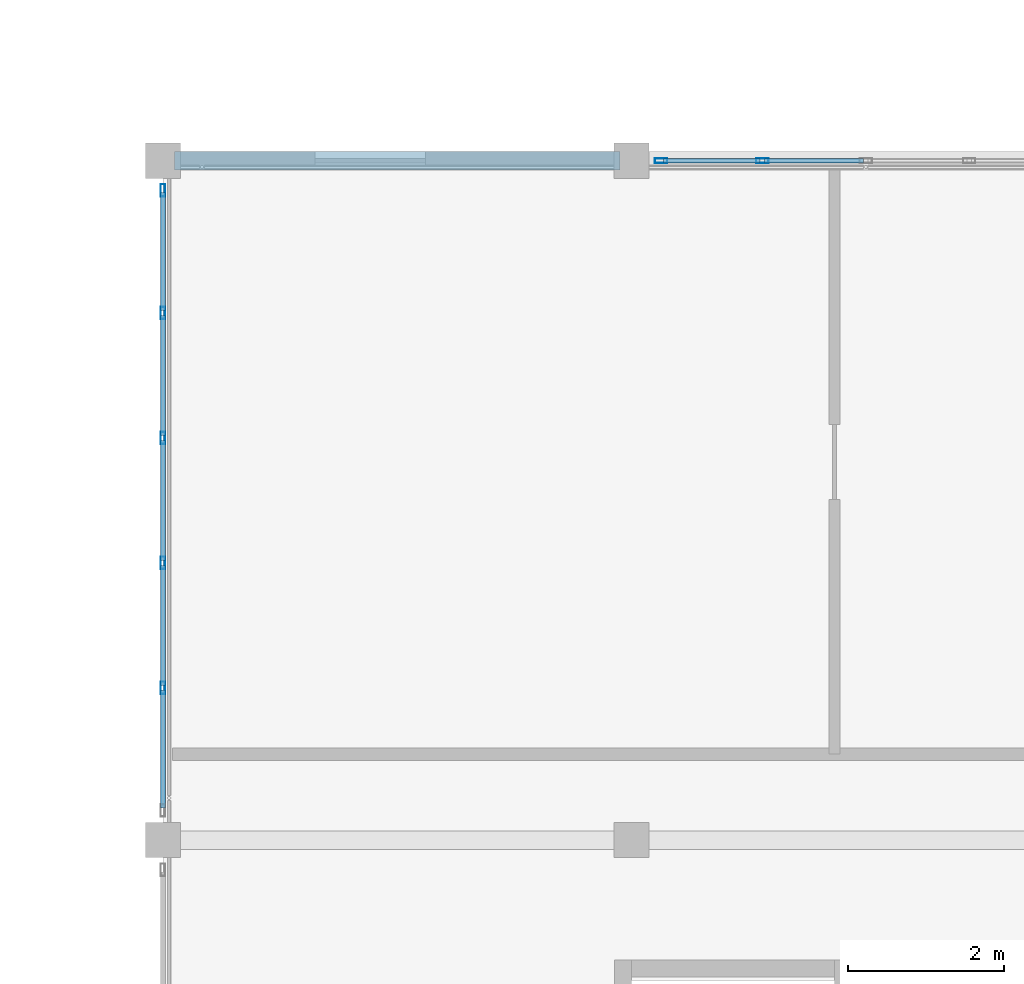
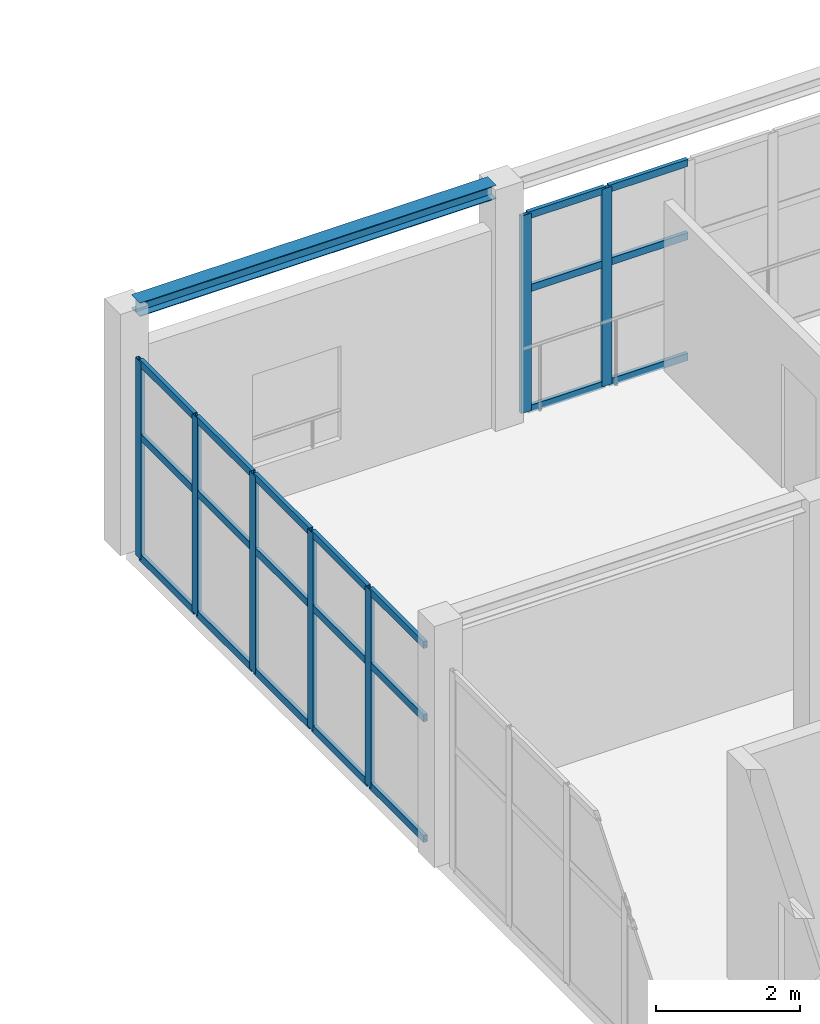
# One storey, part 50 of 128: 28 members, 1 beam, 2 elements without a shape of their own.
"""IFC4 building model written with IfcOpenShell, lengths in metres."""

from ifc_helpers import new_model, si_unit, direction, frame, origin, origin_2d, place, context, subcontext, project, spatial, hollow_rectangle, i_section, extrude, material, material_profile, profile_set, type_object, element, aggregate, save


model = new_model("IFC4")

# Units and contexts
model_context = context("Model", 3, precision=1e-05, world=origin(), true_north=direction((0.0, 1.0)))
body_context = subcontext(model_context, "Body", "Model", "MODEL_VIEW")
ifc_project = project(units=[si_unit("LENGTHUNIT", "METRE"), si_unit("AREAUNIT", "SQUARE_METRE"), si_unit("VOLUMEUNIT", "CUBIC_METRE"), si_unit("PLANEANGLEUNIT", "RADIAN"), si_unit("MASSUNIT", "GRAM", prefix="KILO")], contexts=[model_context])

# Site, building, storey
site_placement = place(None, origin())
site = spatial("IfcSite", under=ifc_project, at=site_placement, CompositionType="ELEMENT")
building_placement = place(site_placement, origin())
building = spatial("IfcBuilding", under=site, at=building_placement, Name="Tanwirah Colonnade Gardens", CompositionType="ELEMENT")
storey_placement = place(building_placement, frame((0.0, 0.0, 4.760009765625)))
storey = spatial("IfcBuildingStorey", under=building, at=storey_placement, Name="L01", CompositionType="ELEMENT", Elevation=4.760009765625)

# Curtain wall, members
ifc_material_1 = material(Name="Bronze-anodised aluminium and solar-control low-E glass", Category="aluminium")
curtain_wall_type = type_object("IfcCurtainWallType", Name="CW-NUR", PredefinedType="NOTDEFINED", material=ifc_material_1)
curtain_wall_1_placement = place(storey_placement, origin())
curtain_wall_1 = element("IfcCurtainWall", 1, at=curtain_wall_1_placement, inside=storey, type_object=curtain_wall_type, Name="Curtain Wall CW-NUR-L01-N-1", PredefinedType="NOTDEFINED")
ifc_material_2 = material(Name="Bronze-anodised aluminium", Category="aluminium")
ifc_material_profile_1 = material_profile(ifc_material_2, hollow_rectangle(XDim=0.06005859375, YDim=0.159912109375, WallThickness=0.00390625, at=origin_2d()), Name="CW-MUL 60x160x4")
ifc_profile_set_1 = profile_set([ifc_material_profile_1], Name="Bronze-anodised aluminium")
member_type_1 = type_object("IfcMemberType", Name="CWM-60x160", PredefinedType="MULLION", material=ifc_profile_set_1)
member_1_placement = place(storey_placement, frame((84.3798828125, 109.39990234375, 0.0), z_axis=(0.0, 0.0, 1.0), x_axis=(0.0, 1.0, 0.0)))
member_1 = element("IfcMember", 2, at=member_1_placement, type_object=member_type_1, Name="CW-NUR mullion 1", PredefinedType="MULLION", context=body_context, shape_type="SweptSolid", body=[
    extrude(hollow_rectangle(XDim=0.06005859375, YDim=0.159912109375, WallThickness=0.00390625, at=origin_2d()), origin(), (0.0, 0.0, 1.0), 3.340087890625),
])
member_2_placement = place(storey_placement, frame((85.675048828125, 109.39990234375, 0.0), z_axis=(0.0, 0.0, 1.0), x_axis=(0.0, 1.0, 0.0)))
member_2 = element("IfcMember", 3, at=member_2_placement, type_object=member_type_1, Name="CW-NUR mullion 2", PredefinedType="MULLION", context=body_context, shape_type="SweptSolid", body=[
    extrude(hollow_rectangle(XDim=0.06005859375, YDim=0.159912109375, WallThickness=0.00390625, at=origin_2d()), origin(), (0.0, 0.0, 1.0), 3.340087890625),
])

curtain_wall_2_placement = place(storey_placement, origin())
curtain_wall_2 = element("IfcCurtainWall", 4, at=curtain_wall_2_placement, inside=storey, type_object=curtain_wall_type, Name="Curtain Wall CW-NUR-L01-W-2", PredefinedType="NOTDEFINED")
member_3_placement = place(storey_placement, frame((78.0, 102.64990234375, 0.0), z_axis=(0.0, 0.0, 1.0), x_axis=(-1.0, 0.0, 0.0)))
member_3 = element("IfcMember", 5, at=member_3_placement, type_object=member_type_1, Name="CW-NUR mullion 2", PredefinedType="MULLION", context=body_context, shape_type="SweptSolid", body=[
    extrude(hollow_rectangle(XDim=0.06005859375, YDim=0.159912109375, WallThickness=0.00390625, at=origin_2d()), origin(), (0.0, 0.0, 1.0), 3.340087890625),
])
member_4_placement = place(storey_placement, frame((78.0, 104.25, 0.0), z_axis=(0.0, 0.0, 1.0), x_axis=(-1.0, 0.0, 0.0)))
member_4 = element("IfcMember", 6, at=member_4_placement, type_object=member_type_1, Name="CW-NUR mullion 3", PredefinedType="MULLION", context=body_context, shape_type="SweptSolid", body=[
    extrude(hollow_rectangle(XDim=0.06005859375, YDim=0.159912109375, WallThickness=0.00390625, at=origin_2d()), origin(), (0.0, 0.0, 1.0), 3.340087890625),
])
member_5_placement = place(storey_placement, frame((78.0, 105.85009765625, 0.0), z_axis=(0.0, 0.0, 1.0), x_axis=(-1.0, 0.0, 0.0)))
member_5 = element("IfcMember", 7, at=member_5_placement, type_object=member_type_1, Name="CW-NUR mullion 4", PredefinedType="MULLION", context=body_context, shape_type="SweptSolid", body=[
    extrude(hollow_rectangle(XDim=0.06005859375, YDim=0.159912109375, WallThickness=0.00390625, at=origin_2d()), origin(), (0.0, 0.0, 1.0), 3.340087890625),
])
member_6_placement = place(storey_placement, frame((78.0, 107.449951171875, 0.0), z_axis=(0.0, 0.0, 1.0), x_axis=(-1.0, 0.0, 0.0)))
member_6 = element("IfcMember", 8, at=member_6_placement, type_object=member_type_1, Name="CW-NUR mullion 5", PredefinedType="MULLION", context=body_context, shape_type="SweptSolid", body=[
    extrude(hollow_rectangle(XDim=0.06005859375, YDim=0.159912109375, WallThickness=0.00390625, at=origin_2d()), origin(), (0.0, 0.0, 1.0), 3.340087890625),
])
member_7_placement = place(storey_placement, frame((78.0, 109.02001953125, 0.0), z_axis=(0.0, 0.0, 1.0), x_axis=(-1.0, 0.0, 0.0)))
member_7 = element("IfcMember", 9, at=member_7_placement, type_object=member_type_1, Name="CW-NUR mullion 6", PredefinedType="MULLION", context=body_context, shape_type="SweptSolid", body=[
    extrude(hollow_rectangle(XDim=0.06005859375, YDim=0.159912109375, WallThickness=0.00390625, at=origin_2d()), origin(), (0.0, 0.0, 1.0), 3.340087890625),
])

# Member
ifc_material_profile_2 = material_profile(ifc_material_2, hollow_rectangle(XDim=0.06005859375, YDim=0.1201171875, WallThickness=0.00390625, at=origin_2d()), Name="CW-TRN 60x120x4")
ifc_profile_set_2 = profile_set([ifc_material_profile_2], Name="Bronze-anodised aluminium")
member_type_2 = type_object("IfcMemberType", Name="CWT-60x120", PredefinedType="USERDEFINED", material=ifc_profile_set_2)
member_8_placement = place(storey_placement, frame((84.409912109375, 109.39990234375, 0.030029296875), z_axis=(1.0, 0.0, 0.0), x_axis=(0.0, 1.0, 0.0)))
member_8 = element("IfcMember", 10, at=member_8_placement, type_object=member_type_2, Name="CW-NUR transom 1.1", ObjectType="TRANSOM", PredefinedType="USERDEFINED", context=body_context, shape_type="SweptSolid", body=[
    extrude(hollow_rectangle(XDim=0.06005859375, YDim=0.1201171875, WallThickness=0.00390625, at=origin_2d()), origin(), (0.0, 0.0, 1.0), 1.235107421875),
])

member_9_placement = place(storey_placement, frame((84.409912109375, 109.39990234375, 2.07080078125), z_axis=(1.0, 0.0, 0.0), x_axis=(0.0, 1.0, 0.0)))
member_9 = element("IfcMember", 11, at=member_9_placement, type_object=member_type_2, Name="CW-NUR transom 1.2", ObjectType="TRANSOM", PredefinedType="USERDEFINED", context=body_context, shape_type="SweptSolid", body=[
    extrude(hollow_rectangle(XDim=0.06005859375, YDim=0.1201171875, WallThickness=0.00390625, at=origin_2d()), origin(), (0.0, 0.0, 1.0), 1.235107421875),
])

member_10_placement = place(storey_placement, frame((84.409912109375, 109.39990234375, 3.31005859375), z_axis=(1.0, 0.0, 0.0), x_axis=(0.0, 1.0, 0.0)))
member_10 = element("IfcMember", 12, at=member_10_placement, type_object=member_type_2, Name="CW-NUR transom 1.3", ObjectType="TRANSOM", PredefinedType="USERDEFINED", context=body_context, shape_type="SweptSolid", body=[
    extrude(hollow_rectangle(XDim=0.06005859375, YDim=0.1201171875, WallThickness=0.00390625, at=origin_2d()), origin(), (0.0, 0.0, 1.0), 1.235107421875),
])

member_11_placement = place(storey_placement, frame((85.705078125, 109.39990234375, 0.030029296875), z_axis=(1.0, 0.0, 0.0), x_axis=(0.0, 1.0, 0.0)))
member_11 = element("IfcMember", 13, at=member_11_placement, type_object=member_type_2, Name="CW-NUR transom 2.1", ObjectType="TRANSOM", PredefinedType="USERDEFINED", context=body_context, shape_type="SweptSolid", body=[
    extrude(hollow_rectangle(XDim=0.06005859375, YDim=0.1201171875, WallThickness=0.00390625, at=origin_2d()), origin(), (0.0, 0.0, 1.0), 1.264892578125),
])

member_12_placement = place(storey_placement, frame((85.705078125, 109.39990234375, 2.07080078125), z_axis=(1.0, 0.0, 0.0), x_axis=(0.0, 1.0, 0.0)))
member_12 = element("IfcMember", 14, at=member_12_placement, type_object=member_type_2, Name="CW-NUR transom 2.2", ObjectType="TRANSOM", PredefinedType="USERDEFINED", context=body_context, shape_type="SweptSolid", body=[
    extrude(hollow_rectangle(XDim=0.06005859375, YDim=0.1201171875, WallThickness=0.00390625, at=origin_2d()), origin(), (0.0, 0.0, 1.0), 1.264892578125),
])

member_13_placement = place(storey_placement, frame((85.705078125, 109.39990234375, 3.31005859375), z_axis=(1.0, 0.0, 0.0), x_axis=(0.0, 1.0, 0.0)))
member_13 = element("IfcMember", 15, at=member_13_placement, type_object=member_type_2, Name="CW-NUR transom 2.3", ObjectType="TRANSOM", PredefinedType="USERDEFINED", context=body_context, shape_type="SweptSolid", body=[
    extrude(hollow_rectangle(XDim=0.06005859375, YDim=0.1201171875, WallThickness=0.00390625, at=origin_2d()), origin(), (0.0, 0.0, 1.0), 1.264892578125),
])

aggregate(curtain_wall_1, [member_1, member_2, member_8, member_9, member_10, member_11, member_12, member_13])

member_14_placement = place(storey_placement, frame((78.0, 101.110107421875, 0.030029296875), z_axis=(0.0, 1.0, 0.0), x_axis=(-1.0, 0.0, 0.0)))
member_14 = element("IfcMember", 16, at=member_14_placement, type_object=member_type_2, Name="CW-NUR transom 1.1", ObjectType="TRANSOM", PredefinedType="USERDEFINED", context=body_context, shape_type="SweptSolid", body=[
    extrude(hollow_rectangle(XDim=0.06005859375, YDim=0.1201171875, WallThickness=0.00390625, at=origin_2d()), origin(), (0.0, 0.0, 1.0), 1.510009765625),
])

member_15_placement = place(storey_placement, frame((78.0, 101.110107421875, 2.07080078125), z_axis=(0.0, 1.0, 0.0), x_axis=(-1.0, 0.0, 0.0)))
member_15 = element("IfcMember", 17, at=member_15_placement, type_object=member_type_2, Name="CW-NUR transom 1.2", ObjectType="TRANSOM", PredefinedType="USERDEFINED", context=body_context, shape_type="SweptSolid", body=[
    extrude(hollow_rectangle(XDim=0.06005859375, YDim=0.1201171875, WallThickness=0.00390625, at=origin_2d()), origin(), (0.0, 0.0, 1.0), 1.510009765625),
])

member_16_placement = place(storey_placement, frame((78.0, 101.110107421875, 3.31005859375), z_axis=(0.0, 1.0, 0.0), x_axis=(-1.0, 0.0, 0.0)))
member_16 = element("IfcMember", 18, at=member_16_placement, type_object=member_type_2, Name="CW-NUR transom 1.3", ObjectType="TRANSOM", PredefinedType="USERDEFINED", context=body_context, shape_type="SweptSolid", body=[
    extrude(hollow_rectangle(XDim=0.06005859375, YDim=0.1201171875, WallThickness=0.00390625, at=origin_2d()), origin(), (0.0, 0.0, 1.0), 1.510009765625),
])

member_17_placement = place(storey_placement, frame((78.0, 102.679931640625, 0.030029296875), z_axis=(0.0, 1.0, 0.0), x_axis=(-1.0, 0.0, 0.0)))
member_17 = element("IfcMember", 19, at=member_17_placement, type_object=member_type_2, Name="CW-NUR transom 2.1", ObjectType="TRANSOM", PredefinedType="USERDEFINED", context=body_context, shape_type="SweptSolid", body=[
    extrude(hollow_rectangle(XDim=0.06005859375, YDim=0.1201171875, WallThickness=0.00390625, at=origin_2d()), origin(), (0.0, 0.0, 1.0), 1.5400390625),
])

member_18_placement = place(storey_placement, frame((78.0, 102.679931640625, 2.07080078125), z_axis=(0.0, 1.0, 0.0), x_axis=(-1.0, 0.0, 0.0)))
member_18 = element("IfcMember", 20, at=member_18_placement, type_object=member_type_2, Name="CW-NUR transom 2.2", ObjectType="TRANSOM", PredefinedType="USERDEFINED", context=body_context, shape_type="SweptSolid", body=[
    extrude(hollow_rectangle(XDim=0.06005859375, YDim=0.1201171875, WallThickness=0.00390625, at=origin_2d()), origin(), (0.0, 0.0, 1.0), 1.5400390625),
])

member_19_placement = place(storey_placement, frame((78.0, 102.679931640625, 3.31005859375), z_axis=(0.0, 1.0, 0.0), x_axis=(-1.0, 0.0, 0.0)))
member_19 = element("IfcMember", 21, at=member_19_placement, type_object=member_type_2, Name="CW-NUR transom 2.3", ObjectType="TRANSOM", PredefinedType="USERDEFINED", context=body_context, shape_type="SweptSolid", body=[
    extrude(hollow_rectangle(XDim=0.06005859375, YDim=0.1201171875, WallThickness=0.00390625, at=origin_2d()), origin(), (0.0, 0.0, 1.0), 1.5400390625),
])

member_20_placement = place(storey_placement, frame((78.0, 104.280029296875, 0.030029296875), z_axis=(0.0, 1.0, 0.0), x_axis=(-1.0, 0.0, 0.0)))
member_20 = element("IfcMember", 22, at=member_20_placement, type_object=member_type_2, Name="CW-NUR transom 3.1", ObjectType="TRANSOM", PredefinedType="USERDEFINED", context=body_context, shape_type="SweptSolid", body=[
    extrude(hollow_rectangle(XDim=0.06005859375, YDim=0.1201171875, WallThickness=0.00390625, at=origin_2d()), origin(), (0.0, 0.0, 1.0), 1.5400390625),
])

member_21_placement = place(storey_placement, frame((78.0, 104.280029296875, 2.07080078125), z_axis=(0.0, 1.0, 0.0), x_axis=(-1.0, 0.0, 0.0)))
member_21 = element("IfcMember", 23, at=member_21_placement, type_object=member_type_2, Name="CW-NUR transom 3.2", ObjectType="TRANSOM", PredefinedType="USERDEFINED", context=body_context, shape_type="SweptSolid", body=[
    extrude(hollow_rectangle(XDim=0.06005859375, YDim=0.1201171875, WallThickness=0.00390625, at=origin_2d()), origin(), (0.0, 0.0, 1.0), 1.5400390625),
])

member_22_placement = place(storey_placement, frame((78.0, 104.280029296875, 3.31005859375), z_axis=(0.0, 1.0, 0.0), x_axis=(-1.0, 0.0, 0.0)))
member_22 = element("IfcMember", 24, at=member_22_placement, type_object=member_type_2, Name="CW-NUR transom 3.3", ObjectType="TRANSOM", PredefinedType="USERDEFINED", context=body_context, shape_type="SweptSolid", body=[
    extrude(hollow_rectangle(XDim=0.06005859375, YDim=0.1201171875, WallThickness=0.00390625, at=origin_2d()), origin(), (0.0, 0.0, 1.0), 1.5400390625),
])

member_23_placement = place(storey_placement, frame((78.0, 105.8798828125, 0.030029296875), z_axis=(0.0, 1.0, 0.0), x_axis=(-1.0, 0.0, 0.0)))
member_23 = element("IfcMember", 25, at=member_23_placement, type_object=member_type_2, Name="CW-NUR transom 4.1", ObjectType="TRANSOM", PredefinedType="USERDEFINED", context=body_context, shape_type="SweptSolid", body=[
    extrude(hollow_rectangle(XDim=0.06005859375, YDim=0.1201171875, WallThickness=0.00390625, at=origin_2d()), origin(), (0.0, 0.0, 1.0), 1.5400390625),
])

member_24_placement = place(storey_placement, frame((78.0, 105.8798828125, 2.07080078125), z_axis=(0.0, 1.0, 0.0), x_axis=(-1.0, 0.0, 0.0)))
member_24 = element("IfcMember", 26, at=member_24_placement, type_object=member_type_2, Name="CW-NUR transom 4.2", ObjectType="TRANSOM", PredefinedType="USERDEFINED", context=body_context, shape_type="SweptSolid", body=[
    extrude(hollow_rectangle(XDim=0.06005859375, YDim=0.1201171875, WallThickness=0.00390625, at=origin_2d()), origin(), (0.0, 0.0, 1.0), 1.5400390625),
])

member_25_placement = place(storey_placement, frame((78.0, 105.8798828125, 3.31005859375), z_axis=(0.0, 1.0, 0.0), x_axis=(-1.0, 0.0, 0.0)))
member_25 = element("IfcMember", 27, at=member_25_placement, type_object=member_type_2, Name="CW-NUR transom 4.3", ObjectType="TRANSOM", PredefinedType="USERDEFINED", context=body_context, shape_type="SweptSolid", body=[
    extrude(hollow_rectangle(XDim=0.06005859375, YDim=0.1201171875, WallThickness=0.00390625, at=origin_2d()), origin(), (0.0, 0.0, 1.0), 1.5400390625),
])

member_26_placement = place(storey_placement, frame((78.0, 107.47998046875, 0.030029296875), z_axis=(0.0, 1.0, 0.0), x_axis=(-1.0, 0.0, 0.0)))
member_26 = element("IfcMember", 28, at=member_26_placement, type_object=member_type_2, Name="CW-NUR transom 5.1", ObjectType="TRANSOM", PredefinedType="USERDEFINED", context=body_context, shape_type="SweptSolid", body=[
    extrude(hollow_rectangle(XDim=0.06005859375, YDim=0.1201171875, WallThickness=0.00390625, at=origin_2d()), origin(), (0.0, 0.0, 1.0), 1.510009765625),
])

member_27_placement = place(storey_placement, frame((78.0, 107.47998046875, 2.07080078125), z_axis=(0.0, 1.0, 0.0), x_axis=(-1.0, 0.0, 0.0)))
member_27 = element("IfcMember", 29, at=member_27_placement, type_object=member_type_2, Name="CW-NUR transom 5.2", ObjectType="TRANSOM", PredefinedType="USERDEFINED", context=body_context, shape_type="SweptSolid", body=[
    extrude(hollow_rectangle(XDim=0.06005859375, YDim=0.1201171875, WallThickness=0.00390625, at=origin_2d()), origin(), (0.0, 0.0, 1.0), 1.510009765625),
])

member_28_placement = place(storey_placement, frame((78.0, 107.47998046875, 3.31005859375), z_axis=(0.0, 1.0, 0.0), x_axis=(-1.0, 0.0, 0.0)))
member_28 = element("IfcMember", 30, at=member_28_placement, type_object=member_type_2, Name="CW-NUR transom 5.3", ObjectType="TRANSOM", PredefinedType="USERDEFINED", context=body_context, shape_type="SweptSolid", body=[
    extrude(hollow_rectangle(XDim=0.06005859375, YDim=0.1201171875, WallThickness=0.00390625, at=origin_2d()), origin(), (0.0, 0.0, 1.0), 1.510009765625),
])

aggregate(curtain_wall_2, [member_3, member_4, member_5, member_6, member_7, member_14, member_15, member_16, member_17, member_18, member_19, member_20, member_21, member_22, member_23, member_24, member_25, member_26, member_27, member_28])

# Beam
ifc_material_3 = material(Name="Steel S355", Category="steel")
ifc_material_profile_3 = material_profile(ifc_material_3, i_section(OverallWidth=0.239990234375, OverallDepth=0.22998046875, WebThickness=0.007568359375, FlangeThickness=0.011962890625, at=origin_2d()), Name="HEA 240")
ifc_profile_set_3 = profile_set([ifc_material_profile_3], Name="Steel S355")
beam_type = type_object("IfcBeamType", Name="SBM-HEA240", PredefinedType="BEAM", material=ifc_profile_set_3)
beam_placement = place(storey_placement, frame((78.14990234375, 109.39990234375, 3.965087890625), z_axis=(1.0, 0.0, 0.0), x_axis=(0.0, 1.0, 0.0)))
element("IfcBeam", 31, at=beam_placement, inside=storey, type_object=beam_type, Name="Nursery L01 Beam X-0.2", PredefinedType="BEAM", context=body_context, shape_type="SweptSolid", body=[
    extrude(i_section(OverallWidth=0.239990234375, OverallDepth=0.22998046875, WebThickness=0.007568359375, FlangeThickness=0.011962890625, at=origin_2d()), origin(), (0.0, 0.0, 1.0), 5.7001953125),
])

save(model, "model.ifc")
